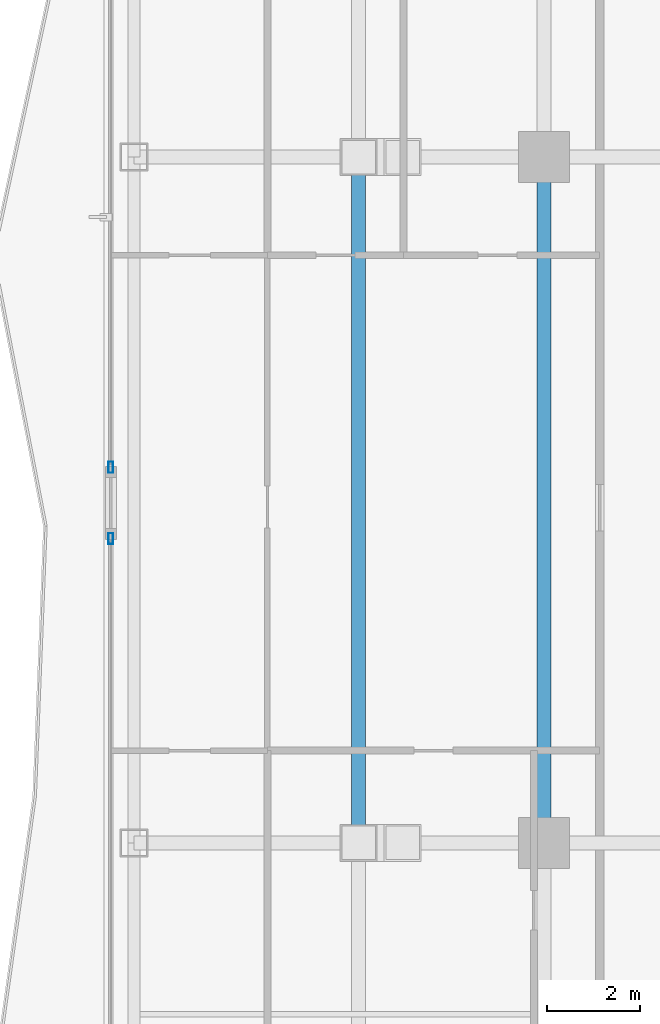
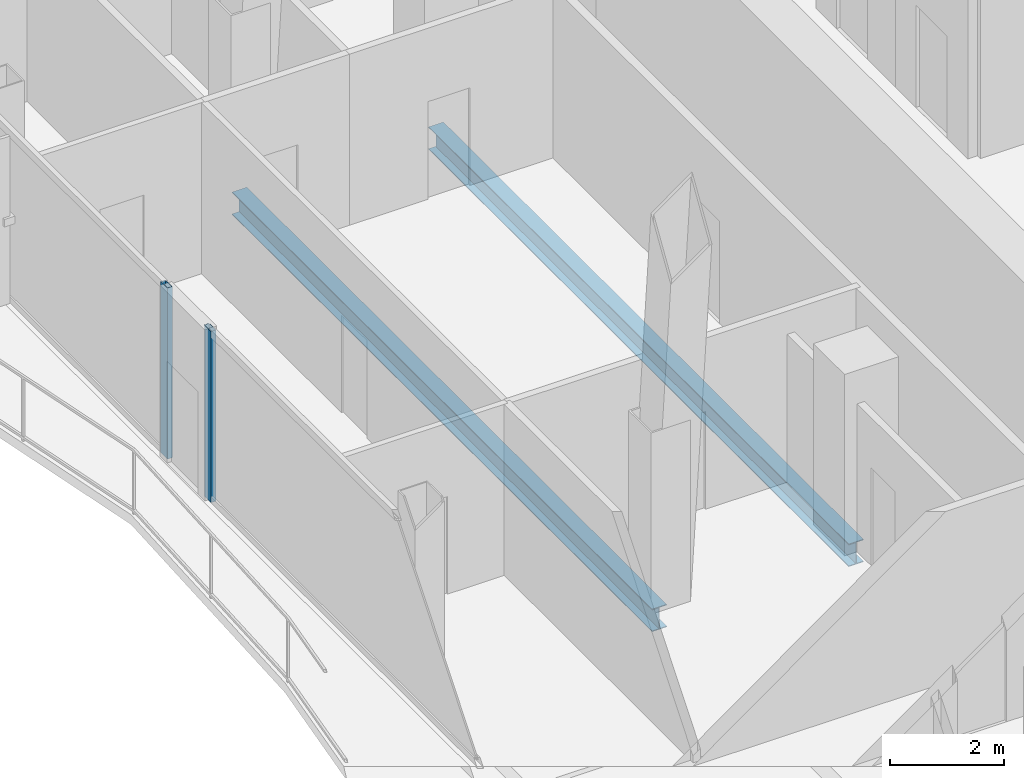
# One storey, part 7 of 27: 2 beams, 2 members, 2 elements without a shape of their own.
"""IFC4 building model written with IfcOpenShell, lengths in metres."""

from ifc_helpers import new_model, si_unit, direction, frame, origin, origin_2d, place, context, subcontext, project, spatial, hollow_rectangle, i_section, extrude, material, layer, layer_set, material_profile, profile_set, type_object, element, aggregate, save


model = new_model("IFC4")

# Units and contexts
model_context = context("Model", 3, precision=1e-05, world=origin(), true_north=direction((0.0, 1.0)))
body_context = subcontext(model_context, "Body", "Model", "MODEL_VIEW")
ifc_project = project(units=[si_unit("LENGTHUNIT", "METRE"), si_unit("AREAUNIT", "SQUARE_METRE"), si_unit("VOLUMEUNIT", "CUBIC_METRE"), si_unit("PLANEANGLEUNIT", "RADIAN"), si_unit("MASSUNIT", "GRAM", prefix="KILO")], contexts=[model_context])

# Site, building, storey
site_placement = place(None, origin())
site = spatial("IfcSite", under=ifc_project, at=site_placement, CompositionType="ELEMENT")
building_placement = place(site_placement, origin())
building = spatial("IfcBuilding", under=site, at=building_placement, Name="Khorvyn Point Tower", CompositionType="ELEMENT")
storey_placement = place(building_placement, frame((0.0, 0.0, 203.10009765625)))
storey = spatial("IfcBuildingStorey", under=building, at=storey_placement, Name="L50", CompositionType="ELEMENT", Elevation=203.10009765625)

# Curtain wall, member
ifc_material_1 = material(Name="Anodised aluminium 6063-T6 and laminated Low-E glass", Category="aluminium")
ifc_layer = layer(ifc_material_1, 0.18994140625)
ifc_layer_set = layer_set([ifc_layer], Name="Stick-Built Acoustic Curtain Wall CW-SYS-03")
curtain_wall_type = type_object("IfcCurtainWallType", Name="Stick-Built Acoustic Curtain Wall CW-SYS-03", PredefinedType="NOTDEFINED", material=ifc_layer_set)
curtain_wall_1_placement = place(storey_placement, origin())
curtain_wall_1 = element("IfcCurtainWall", 1, at=curtain_wall_1_placement, inside=storey, type_object=curtain_wall_type, Name="Curtain Wall", PredefinedType="NOTDEFINED")
ifc_material_2 = material(Name="Anodised aluminium 6063-T6", Category="aluminium")
ifc_material_profile_1 = material_profile(ifc_material_2, hollow_rectangle(XDim=0.10009765625, YDim=0.239990234375, WallThickness=0.0048828125, at=origin_2d()))
ifc_profile_set_1 = profile_set([ifc_material_profile_1], Name="Anodised aluminium 6063-T6 ALU-MUL-100x240")
member_type = type_object("IfcMemberType", Name="Anodised Aluminium 6063-T6 Mullion ALU-MUL-100x240", PredefinedType="MULLION", material=ifc_profile_set_1)
member_1_placement = place(storey_placement, frame((-24.14990234375, -0.8330078125, 0.0), z_axis=(0.0, 0.0, 1.0), x_axis=(-1.0, 0.0, 0.0)))
member_1 = element("IfcMember", 2, at=member_1_placement, type_object=member_type, Name="Transom", PredefinedType="MULLION", context=body_context, shape_type="SweptSolid", body=[
    extrude(hollow_rectangle(XDim=0.10009765625, YDim=0.239990234375, WallThickness=0.0048828125, at=origin_2d()), origin(), (0.0, 0.0, 1.0), 3.679931640625),
])
aggregate(curtain_wall_1, [member_1])

curtain_wall_2_placement = place(storey_placement, origin())
curtain_wall_2 = element("IfcCurtainWall", 3, at=curtain_wall_2_placement, inside=storey, type_object=curtain_wall_type, Name="Curtain Wall", PredefinedType="NOTDEFINED")
member_2_placement = place(storey_placement, frame((-24.14990234375, 0.70703125, 0.0), z_axis=(0.0, 0.0, 1.0), x_axis=(-1.0, 0.0, 0.0)))
member_2 = element("IfcMember", 4, at=member_2_placement, type_object=member_type, Name="Transom", PredefinedType="MULLION", context=body_context, shape_type="SweptSolid", body=[
    extrude(hollow_rectangle(XDim=0.10009765625, YDim=0.239990234375, WallThickness=0.0048828125, at=origin_2d()), origin(), (0.0, 0.0, 1.0), 3.679931640625),
])
aggregate(curtain_wall_2, [member_2])

# Beams
ifc_material_3 = material(Name="Steel S355", Category="steel")
ifc_material_profile_2 = material_profile(ifc_material_3, i_section(OverallWidth=0.300048828125, OverallDepth=0.488037109375, WebThickness=0.010986328125, FlangeThickness=0.01806640625, at=origin_2d()))
ifc_profile_set_2 = profile_set([ifc_material_profile_2], Name="Steel S355 H488x300x11x18")
beam_type = type_object("IfcBeamType", Name="Steel S355 Spandrel H488x300x11x18", PredefinedType="SPANDREL", material=ifc_profile_set_2)
for number, where, z_axis, x_axis, name in (
    (5, (-14.800048828125, -7.39990234375, -0.464111328125), (0.0, 1.0, 0.0), (-1.0, 0.0, 0.0), "Beam"),
    (6, (-18.800048828125, -7.39990234375, -0.464111328125), (0.0, 1.0, 0.0), (-1.0, 0.0, 0.0), "Beam"),
):
    element("IfcBeam", number, at=place(storey_placement, frame(where, z_axis=z_axis, x_axis=x_axis)), inside=storey, type_object=beam_type, Name=name, PredefinedType="SPANDREL", context=body_context, shape_type="SweptSolid", body=[
        extrude(i_section(OverallWidth=0.300048828125, OverallDepth=0.488037109375, WebThickness=0.010986328125, FlangeThickness=0.01806640625, at=origin_2d()), origin(), (0.0, 0.0, 1.0), 14.7998046875),
    ])

save(model, "model.ifc")
